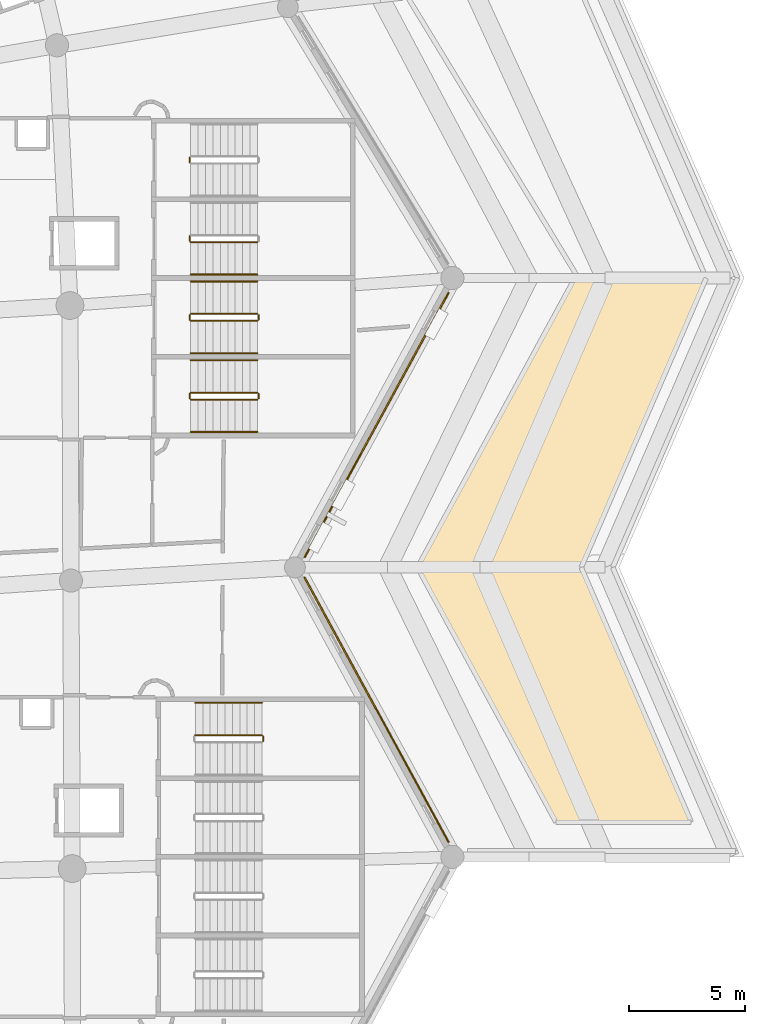
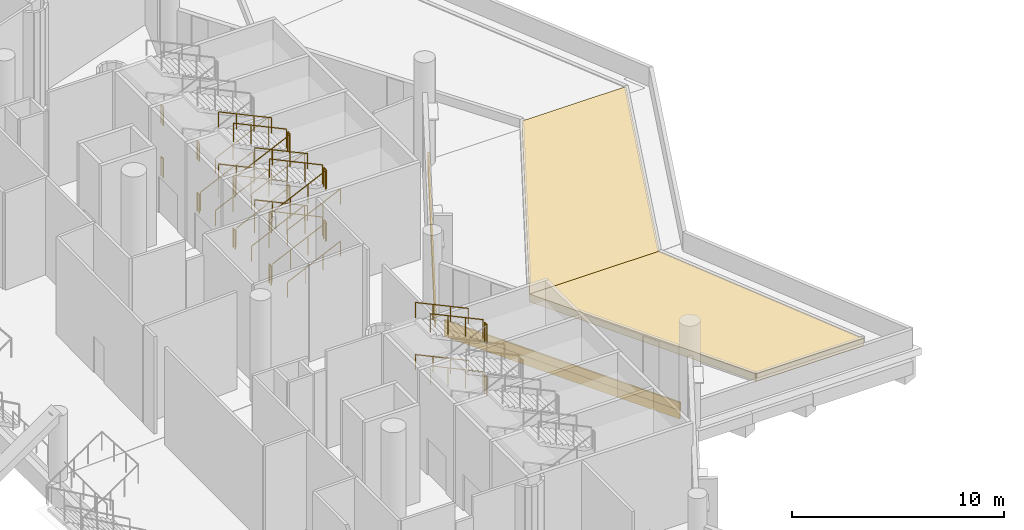
# One storey, part 163 of 173: 37 railings, 6 coverings.
"""IFC4 building model written with IfcOpenShell, lengths in metres."""

from ifc_helpers import new_model, si_unit, direction, frame, origin, origin_2d, place, context, subcontext, project, spatial, polyline, rectangle, circle, outline, extrude, material, layer, layer_set, type_object, element, save


model = new_model("IFC4")

# Units and contexts
model_context = context("Model", 3, precision=1e-05, world=origin(), true_north=direction((0.0, 1.0)))
body_context = subcontext(model_context, "Body", "Model", "MODEL_VIEW")
ifc_project = project(units=[si_unit("LENGTHUNIT", "METRE"), si_unit("AREAUNIT", "SQUARE_METRE"), si_unit("VOLUMEUNIT", "CUBIC_METRE"), si_unit("PLANEANGLEUNIT", "RADIAN"), si_unit("MASSUNIT", "GRAM", prefix="KILO")], contexts=[model_context])

# Site, building, storey
site_placement = place(None, origin())
site = spatial("IfcSite", under=ifc_project, at=site_placement, CompositionType="ELEMENT")
building_placement = place(site_placement, origin())
building = spatial("IfcBuilding", under=site, at=building_placement, Name="Meseta Stadium", CompositionType="ELEMENT")
storey_placement = place(building_placement, frame((0.0, 0.0, 18.0)))
storey = spatial("IfcBuildingStorey", under=building, at=storey_placement, Name="L03", CompositionType="ELEMENT", Elevation=18.0)

# Coverings
ifc_material_1 = material(Name="Guadarrama granite cladding", Category="masonry")
ifc_layer_1 = layer(ifc_material_1, 0.06005859375)
ifc_layer_set_1 = layer_set([ifc_layer_1], Name="Granite plinth cladding 60")
covering_type_1 = type_object("IfcCoveringType", Name="Granite plinth cladding 60", PredefinedType="CLADDING", material=ifc_layer_set_1)
for number, where, z_axis, x_axis, name in (
    (1, (98.124267578125, 25.095947265625, 0.0), (0.0, 0.0, 1.0), (0.47786723231, -0.878432073802, 0.0), "Granite plinth L03 F06"),
    (2, (98.124267578125, 37.404052734375, 0.0), (0.0, 0.0, 1.0), (-0.47786723231, -0.878432073802, 0.0), "Granite plinth L03 F07"),
):
    element("IfcCovering", number, at=place(storey_placement, frame(where, z_axis=z_axis, x_axis=x_axis)), inside=storey, type_object=covering_type_1, Name=name, PredefinedType="CLADDING", context=body_context, shape_type="SweptSolid", body=[
        extrude(rectangle(XDim=13.040283203125, YDim=0.06005859375, at=origin_2d()), origin(), (0.0, 0.0, 1.0), 0.5),
    ])
ifc_material_2 = material(Name="Planting soil")
ifc_layer_2 = layer(ifc_material_2, 0.449951171875)
ifc_layer_set_2 = layer_set([ifc_layer_2], Name="Planting soil 450")
covering_type_2 = type_object("IfcCoveringType", Name="Planting soil 450", PredefinedType="FLOORING", material=ifc_layer_set_2)
covering_1_placement = place(storey_placement, origin())
element("IfcCovering", 3, at=covering_1_placement, inside=storey, type_object=covering_type_2, Name="Roof garden planting bed 1.1 panel 04", PredefinedType="FLOORING", context=body_context, shape_type="SweptSolid", body=[
    extrude(outline(polyline([(106.966064453125, 31.25), (99.8935546875, 31.25), (105.87744140625, 20.25), (111.718017578125, 20.25), (106.966064453125, 31.25)])), origin(), (0.0, 0.0, 1.0), 0.449951171875),
])
covering_2_placement = place(storey_placement, origin())
element("IfcCovering", 4, at=covering_2_placement, inside=storey, type_object=covering_type_2, Name="Roof garden planting bed 1.1 panel 06", PredefinedType="FLOORING", context=body_context, shape_type="SweptSolid", body=[
    extrude(outline(polyline([(106.693603515625, 43.75), (99.8935546875, 31.25), (106.966064453125, 31.25), (112.364501953125, 43.74658203125), (112.363037109375, 43.75), (106.693603515625, 43.75)])), origin(), (0.0, 0.0, 1.0), 0.449951171875),
])

# Railings
ifc_material_3 = material(Name="Steel S355", Category="steel")
railing_type_1 = type_object("IfcRailingType", Name="Stair guard 1100", PredefinedType="GUARDRAIL", material=ifc_material_3)
railing_1_placement = place(storey_placement, frame((93.22998046875, 23.75, 1.5)))
element("IfcRailing", 5, at=railing_1_placement, inside=storey, type_object=railing_type_1, Name="ST16 L03 guard 2", PredefinedType="GUARDRAIL", context=body_context, shape_type="SweptSolid", body=[
    extrude(circle(Radius=0.02392578125, at=origin_2d()), frame((0.0, 0.0, 1.076171875), z_axis=(0.0, 1.0, 0.0), x_axis=(-1.0, 0.0, 0.0)), (0.0, 0.0, 1.0), 0.199951171875),
    extrude(circle(Radius=0.02099609375, at=origin_2d()), origin(), (0.0, 0.0, 1.0), 1.052001953125),
    extrude(circle(Radius=0.02099609375, at=origin_2d()), frame((0.0, 0.199951171875, 0.0)), (0.0, 0.0, 1.0), 1.052001953125),
])
railing_2_placement = place(storey_placement, frame((93.179931640625, 24.0, 1.64990234375)))
element("IfcRailing", 6, at=railing_2_placement, inside=storey, type_object=railing_type_1, Name="ST16 L03 guard 3", PredefinedType="GUARDRAIL", context=body_context, shape_type="SweptSolid", body=[
    extrude(circle(Radius=0.02392578125, at=origin_2d()), frame((0.0, 0.0, 1.076171875), z_axis=(-0.905440498372, 0.0, 0.424473207528), x_axis=(0.0, -1.0, 0.0)), (0.0, 0.0, 1.0), 3.1806640625),
    extrude(circle(Radius=0.02099609375, at=origin_2d()), origin(), (0.0, 0.0, 1.0), 1.052001953125),
    extrude(circle(Radius=0.02099609375, at=origin_2d()), frame((-0.9599609375, 0.0, 0.449951171875)), (0.0, 0.0, 1.0), 1.052001953125),
    extrude(circle(Radius=0.02099609375, at=origin_2d()), frame((-1.919921875, 0.0, 0.900146484375)), (0.0, 0.0, 1.0), 1.052001953125),
    extrude(circle(Radius=0.02099609375, at=origin_2d()), frame((-2.8798828125, 0.0, 1.35009765625)), (0.0, 0.0, 1.0), 1.052001953125),
])
railing_3_placement = place(storey_placement, frame((93.22998046875, 23.75, 4.5)))
element("IfcRailing", 7, at=railing_3_placement, inside=storey, type_object=railing_type_1, Name="ST16 L03 guard 6", PredefinedType="GUARDRAIL", context=body_context, shape_type="SweptSolid", body=[
    extrude(circle(Radius=0.02392578125, at=origin_2d()), frame((0.0, 0.0, 1.076171875), z_axis=(0.0, 1.0, 0.0), x_axis=(-1.0, 0.0, 0.0)), (0.0, 0.0, 1.0), 0.199951171875),
    extrude(circle(Radius=0.02099609375, at=origin_2d()), origin(), (0.0, 0.0, 1.0), 1.052001953125),
    extrude(circle(Radius=0.02099609375, at=origin_2d()), frame((0.0, 0.199951171875, 0.0)), (0.0, 0.0, 1.0), 1.052001953125),
])
railing_4_placement = place(storey_placement, frame((93.179931640625, 24.0, 4.64990234375)))
element("IfcRailing", 8, at=railing_4_placement, inside=storey, type_object=railing_type_1, Name="ST16 L03 guard 7", PredefinedType="GUARDRAIL", context=body_context, shape_type="SweptSolid", body=[
    extrude(circle(Radius=0.02392578125, at=origin_2d()), frame((0.0, 0.0, 1.076171875), z_axis=(-0.905440498372, 0.0, 0.424473207528), x_axis=(0.0, -1.0, 0.0)), (0.0, 0.0, 1.0), 3.1806640625),
    extrude(circle(Radius=0.02099609375, at=origin_2d()), origin(), (0.0, 0.0, 1.0), 1.052001953125),
    extrude(circle(Radius=0.02099609375, at=origin_2d()), frame((-0.9599609375, 0.0, 0.449951171875)), (0.0, 0.0, 1.0), 1.052001953125),
    extrude(circle(Radius=0.02099609375, at=origin_2d()), frame((-1.919921875, 0.0, 0.900146484375)), (0.0, 0.0, 1.0), 1.052001953125),
    extrude(circle(Radius=0.02099609375, at=origin_2d()), frame((-2.8798828125, 0.0, 1.35009765625)), (0.0, 0.0, 1.0), 1.052001953125),
])
railing_5_placement = place(storey_placement, frame((90.10009765625, 38.5, 0.14990234375)))
element("IfcRailing", 9, at=railing_5_placement, inside=storey, type_object=railing_type_1, Name="ST17 L03 guard 1", PredefinedType="GUARDRAIL", context=body_context, shape_type="SweptSolid", body=[
    extrude(circle(Radius=0.02392578125, at=origin_2d()), frame((0.0, 0.0, 1.076171875), z_axis=(0.905440498372, 0.0, 0.424473207528), x_axis=(0.0, 1.0, 0.0)), (0.0, 0.0, 1.0), 3.1806640625),
    extrude(circle(Radius=0.02099609375, at=origin_2d()), origin(), (0.0, 0.0, 1.0), 1.052001953125),
    extrude(circle(Radius=0.02099609375, at=origin_2d()), frame((0.9599609375, 0.0, 0.449951171875)), (0.0, 0.0, 1.0), 1.052001953125),
    extrude(circle(Radius=0.02099609375, at=origin_2d()), frame((1.919921875, 0.0, 0.900146484375)), (0.0, 0.0, 1.0), 1.052001953125),
    extrude(circle(Radius=0.02099609375, at=origin_2d()), frame((2.8798828125, 0.0, 1.35009765625)), (0.0, 0.0, 1.0), 1.052001953125),
])
railing_6_placement = place(storey_placement, frame((93.030029296875, 38.550048828125, 1.5)))
element("IfcRailing", 10, at=railing_6_placement, inside=storey, type_object=railing_type_1, Name="ST17 L03 guard 2", PredefinedType="GUARDRAIL", context=body_context, shape_type="SweptSolid", body=[
    extrude(circle(Radius=0.02392578125, at=origin_2d()), frame((0.0, 0.0, 1.076171875), z_axis=(0.0, 1.0, 0.0), x_axis=(-1.0, 0.0, 0.0)), (0.0, 0.0, 1.0), 0.199951171875),
    extrude(circle(Radius=0.02099609375, at=origin_2d()), origin(), (0.0, 0.0, 1.0), 1.052001953125),
    extrude(circle(Radius=0.02099609375, at=origin_2d()), frame((0.0, 0.199951171875, 0.0)), (0.0, 0.0, 1.0), 1.052001953125),
])
railing_7_placement = place(storey_placement, frame((92.97998046875, 38.800048828125, 1.64990234375)))
element("IfcRailing", 11, at=railing_7_placement, inside=storey, type_object=railing_type_1, Name="ST17 L03 guard 3", PredefinedType="GUARDRAIL", context=body_context, shape_type="SweptSolid", body=[
    extrude(circle(Radius=0.02392578125, at=origin_2d()), frame((0.0, 0.0, 1.076171875), z_axis=(-0.905440498372, 0.0, 0.424473207528), x_axis=(0.0, -1.0, 0.0)), (0.0, 0.0, 1.0), 3.1806640625),
    extrude(circle(Radius=0.02099609375, at=origin_2d()), origin(), (0.0, 0.0, 1.0), 1.052001953125),
    extrude(circle(Radius=0.02099609375, at=origin_2d()), frame((-0.9599609375, 0.0, 0.449951171875)), (0.0, 0.0, 1.0), 1.052001953125),
    extrude(circle(Radius=0.02099609375, at=origin_2d()), frame((-1.919921875, 0.0, 0.900146484375)), (0.0, 0.0, 1.0), 1.052001953125),
    extrude(circle(Radius=0.02099609375, at=origin_2d()), frame((-2.8798828125, 0.0, 1.35009765625)), (0.0, 0.0, 1.0), 1.052001953125),
])
railing_8_placement = place(storey_placement, frame((90.050048828125, 38.550048828125, 3.0)))
element("IfcRailing", 12, at=railing_8_placement, inside=storey, type_object=railing_type_1, Name="ST17 L03 guard 4", PredefinedType="GUARDRAIL", context=body_context, shape_type="SweptSolid", body=[
    extrude(circle(Radius=0.02392578125, at=origin_2d()), frame((0.0, 0.0, 1.076171875), z_axis=(0.0, 1.0, 0.0), x_axis=(-1.0, 0.0, 0.0)), (0.0, 0.0, 1.0), 0.199951171875),
    extrude(circle(Radius=0.02099609375, at=origin_2d()), origin(), (0.0, 0.0, 1.0), 1.052001953125),
    extrude(circle(Radius=0.02099609375, at=origin_2d()), frame((0.0, 0.199951171875, 0.0)), (0.0, 0.0, 1.0), 1.052001953125),
])
railing_9_placement = place(storey_placement, frame((90.10009765625, 38.5, 3.14990234375)))
element("IfcRailing", 13, at=railing_9_placement, inside=storey, type_object=railing_type_1, Name="ST17 L03 guard 5", PredefinedType="GUARDRAIL", context=body_context, shape_type="SweptSolid", body=[
    extrude(circle(Radius=0.02392578125, at=origin_2d()), frame((0.0, 0.0, 1.076171875), z_axis=(0.905440498372, 0.0, 0.424473207528), x_axis=(0.0, 1.0, 0.0)), (0.0, 0.0, 1.0), 3.1806640625),
    extrude(circle(Radius=0.02099609375, at=origin_2d()), origin(), (0.0, 0.0, 1.0), 1.052001953125),
    extrude(circle(Radius=0.02099609375, at=origin_2d()), frame((0.9599609375, 0.0, 0.449951171875)), (0.0, 0.0, 1.0), 1.052001953125),
    extrude(circle(Radius=0.02099609375, at=origin_2d()), frame((1.919921875, 0.0, 0.900146484375)), (0.0, 0.0, 1.0), 1.052001953125),
    extrude(circle(Radius=0.02099609375, at=origin_2d()), frame((2.8798828125, 0.0, 1.35009765625)), (0.0, 0.0, 1.0), 1.052001953125),
])
railing_10_placement = place(storey_placement, frame((93.030029296875, 38.550048828125, 4.5)))
element("IfcRailing", 14, at=railing_10_placement, inside=storey, type_object=railing_type_1, Name="ST17 L03 guard 6", PredefinedType="GUARDRAIL", context=body_context, shape_type="SweptSolid", body=[
    extrude(circle(Radius=0.02392578125, at=origin_2d()), frame((0.0, 0.0, 1.076171875), z_axis=(0.0, 1.0, 0.0), x_axis=(-1.0, 0.0, 0.0)), (0.0, 0.0, 1.0), 0.199951171875),
    extrude(circle(Radius=0.02099609375, at=origin_2d()), origin(), (0.0, 0.0, 1.0), 1.052001953125),
    extrude(circle(Radius=0.02099609375, at=origin_2d()), frame((0.0, 0.199951171875, 0.0)), (0.0, 0.0, 1.0), 1.052001953125),
])
railing_11_placement = place(storey_placement, frame((92.97998046875, 38.800048828125, 4.64990234375)))
element("IfcRailing", 15, at=railing_11_placement, inside=storey, type_object=railing_type_1, Name="ST17 L03 guard 7", PredefinedType="GUARDRAIL", context=body_context, shape_type="SweptSolid", body=[
    extrude(circle(Radius=0.02392578125, at=origin_2d()), frame((0.0, 0.0, 1.076171875), z_axis=(-0.905440498372, 0.0, 0.424473207528), x_axis=(0.0, -1.0, 0.0)), (0.0, 0.0, 1.0), 3.1806640625),
    extrude(circle(Radius=0.02099609375, at=origin_2d()), origin(), (0.0, 0.0, 1.0), 1.052001953125),
    extrude(circle(Radius=0.02099609375, at=origin_2d()), frame((-0.9599609375, 0.0, 0.449951171875)), (0.0, 0.0, 1.0), 1.052001953125),
    extrude(circle(Radius=0.02099609375, at=origin_2d()), frame((-1.919921875, 0.0, 0.900146484375)), (0.0, 0.0, 1.0), 1.052001953125),
    extrude(circle(Radius=0.02099609375, at=origin_2d()), frame((-2.8798828125, 0.0, 1.35009765625)), (0.0, 0.0, 1.0), 1.052001953125),
])
railing_12_placement = place(storey_placement, frame((90.050048828125, 38.550048828125, 0.0)))
element("IfcRailing", 16, at=railing_12_placement, inside=storey, type_object=railing_type_1, Name="ST17 L03 guard 8", PredefinedType="GUARDRAIL", context=body_context, shape_type="SweptSolid", body=[
    extrude(circle(Radius=0.02392578125, at=origin_2d()), frame((0.0, 0.0, 1.076171875), z_axis=(0.0, 1.0, 0.0), x_axis=(-1.0, 0.0, 0.0)), (0.0, 0.0, 1.0), 0.199951171875),
    extrude(circle(Radius=0.02099609375, at=origin_2d()), origin(), (0.0, 0.0, 1.0), 1.052001953125),
    extrude(circle(Radius=0.02099609375, at=origin_2d()), frame((0.0, 0.199951171875, 0.0)), (0.0, 0.0, 1.0), 1.052001953125),
])
railing_13_placement = place(storey_placement, frame((90.10009765625, 41.89990234375, 0.14990234375)))
element("IfcRailing", 17, at=railing_13_placement, inside=storey, type_object=railing_type_1, Name="ST18 L03 guard 1", PredefinedType="GUARDRAIL", context=body_context, shape_type="SweptSolid", body=[
    extrude(circle(Radius=0.02392578125, at=origin_2d()), frame((0.0, 0.0, 1.076171875), z_axis=(0.905440498372, 0.0, 0.424473207528), x_axis=(0.0, 1.0, 0.0)), (0.0, 0.0, 1.0), 3.1806640625),
    extrude(circle(Radius=0.02099609375, at=origin_2d()), origin(), (0.0, 0.0, 1.0), 1.052001953125),
    extrude(circle(Radius=0.02099609375, at=origin_2d()), frame((0.9599609375, 0.0, 0.449951171875)), (0.0, 0.0, 1.0), 1.052001953125),
    extrude(circle(Radius=0.02099609375, at=origin_2d()), frame((1.919921875, 0.0, 0.900146484375)), (0.0, 0.0, 1.0), 1.052001953125),
    extrude(circle(Radius=0.02099609375, at=origin_2d()), frame((2.8798828125, 0.0, 1.35009765625)), (0.0, 0.0, 1.0), 1.052001953125),
])
railing_14_placement = place(storey_placement, frame((93.030029296875, 41.949951171875, 1.5)))
element("IfcRailing", 18, at=railing_14_placement, inside=storey, type_object=railing_type_1, Name="ST18 L03 guard 2", PredefinedType="GUARDRAIL", context=body_context, shape_type="SweptSolid", body=[
    extrude(circle(Radius=0.02392578125, at=origin_2d()), frame((0.0, 0.0, 1.076171875), z_axis=(0.0, 1.0, 0.0), x_axis=(-1.0, 0.0, 0.0)), (0.0, 0.0, 1.0), 0.199951171875),
    extrude(circle(Radius=0.02099609375, at=origin_2d()), origin(), (0.0, 0.0, 1.0), 1.052001953125),
    extrude(circle(Radius=0.02099609375, at=origin_2d()), frame((0.0, 0.199951171875, 0.0)), (0.0, 0.0, 1.0), 1.052001953125),
])
railing_15_placement = place(storey_placement, frame((92.97998046875, 42.199951171875, 1.64990234375)))
element("IfcRailing", 19, at=railing_15_placement, inside=storey, type_object=railing_type_1, Name="ST18 L03 guard 3", PredefinedType="GUARDRAIL", context=body_context, shape_type="SweptSolid", body=[
    extrude(circle(Radius=0.02392578125, at=origin_2d()), frame((0.0, 0.0, 1.076171875), z_axis=(-0.905440498372, 0.0, 0.424473207528), x_axis=(0.0, -1.0, 0.0)), (0.0, 0.0, 1.0), 3.1806640625),
    extrude(circle(Radius=0.02099609375, at=origin_2d()), origin(), (0.0, 0.0, 1.0), 1.052001953125),
    extrude(circle(Radius=0.02099609375, at=origin_2d()), frame((-0.9599609375, 0.0, 0.449951171875)), (0.0, 0.0, 1.0), 1.052001953125),
    extrude(circle(Radius=0.02099609375, at=origin_2d()), frame((-1.919921875, 0.0, 0.900146484375)), (0.0, 0.0, 1.0), 1.052001953125),
    extrude(circle(Radius=0.02099609375, at=origin_2d()), frame((-2.8798828125, 0.0, 1.35009765625)), (0.0, 0.0, 1.0), 1.052001953125),
])
railing_16_placement = place(storey_placement, frame((90.050048828125, 41.949951171875, 3.0)))
element("IfcRailing", 20, at=railing_16_placement, inside=storey, type_object=railing_type_1, Name="ST18 L03 guard 4", PredefinedType="GUARDRAIL", context=body_context, shape_type="SweptSolid", body=[
    extrude(circle(Radius=0.02392578125, at=origin_2d()), frame((0.0, 0.0, 1.076171875), z_axis=(0.0, 1.0, 0.0), x_axis=(-1.0, 0.0, 0.0)), (0.0, 0.0, 1.0), 0.199951171875),
    extrude(circle(Radius=0.02099609375, at=origin_2d()), origin(), (0.0, 0.0, 1.0), 1.052001953125),
    extrude(circle(Radius=0.02099609375, at=origin_2d()), frame((0.0, 0.199951171875, 0.0)), (0.0, 0.0, 1.0), 1.052001953125),
])
railing_17_placement = place(storey_placement, frame((90.10009765625, 41.89990234375, 3.14990234375)))
element("IfcRailing", 21, at=railing_17_placement, inside=storey, type_object=railing_type_1, Name="ST18 L03 guard 5", PredefinedType="GUARDRAIL", context=body_context, shape_type="SweptSolid", body=[
    extrude(circle(Radius=0.02392578125, at=origin_2d()), frame((0.0, 0.0, 1.076171875), z_axis=(0.905440498372, 0.0, 0.424473207528), x_axis=(0.0, 1.0, 0.0)), (0.0, 0.0, 1.0), 3.1806640625),
    extrude(circle(Radius=0.02099609375, at=origin_2d()), origin(), (0.0, 0.0, 1.0), 1.052001953125),
    extrude(circle(Radius=0.02099609375, at=origin_2d()), frame((0.9599609375, 0.0, 0.449951171875)), (0.0, 0.0, 1.0), 1.052001953125),
    extrude(circle(Radius=0.02099609375, at=origin_2d()), frame((1.919921875, 0.0, 0.900146484375)), (0.0, 0.0, 1.0), 1.052001953125),
    extrude(circle(Radius=0.02099609375, at=origin_2d()), frame((2.8798828125, 0.0, 1.35009765625)), (0.0, 0.0, 1.0), 1.052001953125),
])
railing_18_placement = place(storey_placement, frame((93.030029296875, 41.949951171875, 4.5)))
element("IfcRailing", 22, at=railing_18_placement, inside=storey, type_object=railing_type_1, Name="ST18 L03 guard 6", PredefinedType="GUARDRAIL", context=body_context, shape_type="SweptSolid", body=[
    extrude(circle(Radius=0.02392578125, at=origin_2d()), frame((0.0, 0.0, 1.076171875), z_axis=(0.0, 1.0, 0.0), x_axis=(-1.0, 0.0, 0.0)), (0.0, 0.0, 1.0), 0.199951171875),
    extrude(circle(Radius=0.02099609375, at=origin_2d()), origin(), (0.0, 0.0, 1.0), 1.052001953125),
    extrude(circle(Radius=0.02099609375, at=origin_2d()), frame((0.0, 0.199951171875, 0.0)), (0.0, 0.0, 1.0), 1.052001953125),
])
railing_19_placement = place(storey_placement, frame((92.97998046875, 42.199951171875, 4.64990234375)))
element("IfcRailing", 23, at=railing_19_placement, inside=storey, type_object=railing_type_1, Name="ST18 L03 guard 7", PredefinedType="GUARDRAIL", context=body_context, shape_type="SweptSolid", body=[
    extrude(circle(Radius=0.02392578125, at=origin_2d()), frame((0.0, 0.0, 1.076171875), z_axis=(-0.905440498372, 0.0, 0.424473207528), x_axis=(0.0, -1.0, 0.0)), (0.0, 0.0, 1.0), 3.1806640625),
    extrude(circle(Radius=0.02099609375, at=origin_2d()), origin(), (0.0, 0.0, 1.0), 1.052001953125),
    extrude(circle(Radius=0.02099609375, at=origin_2d()), frame((-0.9599609375, 0.0, 0.449951171875)), (0.0, 0.0, 1.0), 1.052001953125),
    extrude(circle(Radius=0.02099609375, at=origin_2d()), frame((-1.919921875, 0.0, 0.900146484375)), (0.0, 0.0, 1.0), 1.052001953125),
    extrude(circle(Radius=0.02099609375, at=origin_2d()), frame((-2.8798828125, 0.0, 1.35009765625)), (0.0, 0.0, 1.0), 1.052001953125),
])
railing_20_placement = place(storey_placement, frame((90.050048828125, 41.949951171875, 0.0)))
element("IfcRailing", 24, at=railing_20_placement, inside=storey, type_object=railing_type_1, Name="ST18 L03 guard 8", PredefinedType="GUARDRAIL", context=body_context, shape_type="SweptSolid", body=[
    extrude(circle(Radius=0.02392578125, at=origin_2d()), frame((0.0, 0.0, 1.076171875), z_axis=(0.0, 1.0, 0.0), x_axis=(-1.0, 0.0, 0.0)), (0.0, 0.0, 1.0), 0.199951171875),
    extrude(circle(Radius=0.02099609375, at=origin_2d()), origin(), (0.0, 0.0, 1.0), 1.052001953125),
    extrude(circle(Radius=0.02099609375, at=origin_2d()), frame((0.0, 0.199951171875, 0.0)), (0.0, 0.0, 1.0), 1.052001953125),
])
railing_21_placement = place(storey_placement, frame((90.10009765625, 45.300048828125, 0.14990234375)))
element("IfcRailing", 25, at=railing_21_placement, inside=storey, type_object=railing_type_1, Name="ST19 L03 guard 1", PredefinedType="GUARDRAIL", context=body_context, shape_type="SweptSolid", body=[
    extrude(circle(Radius=0.02392578125, at=origin_2d()), frame((0.0, 0.0, 1.076171875), z_axis=(0.905440498372, 0.0, 0.424473207528), x_axis=(0.0, 1.0, 0.0)), (0.0, 0.0, 1.0), 3.1806640625),
    extrude(circle(Radius=0.02099609375, at=origin_2d()), origin(), (0.0, 0.0, 1.0), 1.052001953125),
    extrude(circle(Radius=0.02099609375, at=origin_2d()), frame((0.9599609375, 0.0, 0.449951171875)), (0.0, 0.0, 1.0), 1.052001953125),
    extrude(circle(Radius=0.02099609375, at=origin_2d()), frame((1.919921875, 0.0, 0.900146484375)), (0.0, 0.0, 1.0), 1.052001953125),
    extrude(circle(Radius=0.02099609375, at=origin_2d()), frame((2.8798828125, 0.0, 1.35009765625)), (0.0, 0.0, 1.0), 1.052001953125),
])
for number, where, name in (
    (26, (90.050048828125, 45.35009765625, 3.0), "ST19 L03 guard 4"),
    (27, (90.050048828125, 45.35009765625, 0.0), "ST19 L03 guard 8"),
    (28, (90.050048828125, 48.75, 3.0), "ST20 L03 guard 4"),
    (29, (90.050048828125, 48.75, 0.0), "ST20 L03 guard 8"),
):
    element("IfcRailing", number, at=place(storey_placement, frame(where)), inside=storey, type_object=railing_type_1, Name=name, PredefinedType="GUARDRAIL", context=body_context, shape_type="SweptSolid", body=[
        extrude(circle(Radius=0.02392578125, at=origin_2d()), frame((0.0, 0.0, 1.076171875), z_axis=(0.0, 1.0, 0.0), x_axis=(-1.0, 0.0, 0.0)), (0.0, 0.0, 1.0), 0.199951171875),
        extrude(circle(Radius=0.02099609375, at=origin_2d()), origin(), (0.0, 0.0, 1.0), 1.052001953125),
        extrude(circle(Radius=0.02099609375, at=origin_2d()), frame((0.0, 0.199951171875, 0.0)), (0.0, 0.0, 1.0), 1.052001953125),
    ])
ifc_material_4 = material(Name="Steel S355", Category="steel")
railing_type_2 = type_object("IfcRailingType", Name="Stair handrail 900", PredefinedType="HANDRAIL", material=ifc_material_4)
for number, where, name in (
    (30, (93.179931640625, 25.39990234375, 1.64990234375), "ST16 L03 handrail 2"),
    (31, (93.179931640625, 25.39990234375, 4.64990234375), "ST16 L03 handrail 4"),
):
    element("IfcRailing", number, at=place(storey_placement, frame(where)), inside=storey, type_object=railing_type_2, Name=name, PredefinedType="HANDRAIL", context=body_context, shape_type="SweptSolid", body=[
        extrude(circle(Radius=0.02392578125, at=origin_2d()), frame((0.0, 0.0, 0.8759765625), z_axis=(-0.905440498372, 0.0, 0.424473207528), x_axis=(0.0, -1.0, 0.0)), (0.0, 0.0, 1.0), 3.1806640625),
        extrude(circle(Radius=0.02099609375, at=origin_2d()), origin(), (0.0, 0.0, 1.0), 0.851806640625),
        extrude(circle(Radius=0.02099609375, at=origin_2d()), frame((-0.9599609375, 0.0, 0.449951171875)), (0.0, 0.0, 1.0), 0.851806640625),
        extrude(circle(Radius=0.02099609375, at=origin_2d()), frame((-1.919921875, 0.0, 0.900146484375)), (0.0, 0.0, 1.0), 0.851806640625),
        extrude(circle(Radius=0.02099609375, at=origin_2d()), frame((-2.8798828125, 0.0, 1.35009765625)), (0.0, 0.0, 1.0), 0.851806640625),
    ])
railing_22_placement = place(storey_placement, frame((90.10009765625, 37.10009765625, 0.14990234375)))
element("IfcRailing", 32, at=railing_22_placement, inside=storey, type_object=railing_type_2, Name="ST17 L03 handrail 1", PredefinedType="HANDRAIL", context=body_context, shape_type="SweptSolid", body=[
    extrude(circle(Radius=0.02392578125, at=origin_2d()), frame((0.0, 0.0, 0.8759765625), z_axis=(0.905440498372, 0.0, 0.424473207528), x_axis=(0.0, 1.0, 0.0)), (0.0, 0.0, 1.0), 3.1806640625),
    extrude(circle(Radius=0.02099609375, at=origin_2d()), origin(), (0.0, 0.0, 1.0), 0.851806640625),
    extrude(circle(Radius=0.02099609375, at=origin_2d()), frame((0.9599609375, 0.0, 0.449951171875)), (0.0, 0.0, 1.0), 0.851806640625),
    extrude(circle(Radius=0.02099609375, at=origin_2d()), frame((1.919921875, 0.0, 0.900146484375)), (0.0, 0.0, 1.0), 0.851806640625),
    extrude(circle(Radius=0.02099609375, at=origin_2d()), frame((2.8798828125, 0.0, 1.35009765625)), (0.0, 0.0, 1.0), 0.851806640625),
])
railing_23_placement = place(storey_placement, frame((92.97998046875, 40.199951171875, 1.64990234375)))
element("IfcRailing", 33, at=railing_23_placement, inside=storey, type_object=railing_type_2, Name="ST17 L03 handrail 2", PredefinedType="HANDRAIL", context=body_context, shape_type="SweptSolid", body=[
    extrude(circle(Radius=0.02392578125, at=origin_2d()), frame((0.0, 0.0, 0.8759765625), z_axis=(-0.905440498372, 0.0, 0.424473207528), x_axis=(0.0, -1.0, 0.0)), (0.0, 0.0, 1.0), 3.1806640625),
    extrude(circle(Radius=0.02099609375, at=origin_2d()), origin(), (0.0, 0.0, 1.0), 0.851806640625),
    extrude(circle(Radius=0.02099609375, at=origin_2d()), frame((-0.9599609375, 0.0, 0.449951171875)), (0.0, 0.0, 1.0), 0.851806640625),
    extrude(circle(Radius=0.02099609375, at=origin_2d()), frame((-1.919921875, 0.0, 0.900146484375)), (0.0, 0.0, 1.0), 0.851806640625),
    extrude(circle(Radius=0.02099609375, at=origin_2d()), frame((-2.8798828125, 0.0, 1.35009765625)), (0.0, 0.0, 1.0), 0.851806640625),
])
railing_24_placement = place(storey_placement, frame((90.10009765625, 37.10009765625, 3.14990234375)))
element("IfcRailing", 34, at=railing_24_placement, inside=storey, type_object=railing_type_2, Name="ST17 L03 handrail 3", PredefinedType="HANDRAIL", context=body_context, shape_type="SweptSolid", body=[
    extrude(circle(Radius=0.02392578125, at=origin_2d()), frame((0.0, 0.0, 0.8759765625), z_axis=(0.905440498372, 0.0, 0.424473207528), x_axis=(0.0, 1.0, 0.0)), (0.0, 0.0, 1.0), 3.1806640625),
    extrude(circle(Radius=0.02099609375, at=origin_2d()), origin(), (0.0, 0.0, 1.0), 0.851806640625),
    extrude(circle(Radius=0.02099609375, at=origin_2d()), frame((0.9599609375, 0.0, 0.449951171875)), (0.0, 0.0, 1.0), 0.851806640625),
    extrude(circle(Radius=0.02099609375, at=origin_2d()), frame((1.919921875, 0.0, 0.900146484375)), (0.0, 0.0, 1.0), 0.851806640625),
    extrude(circle(Radius=0.02099609375, at=origin_2d()), frame((2.8798828125, 0.0, 1.35009765625)), (0.0, 0.0, 1.0), 0.851806640625),
])
railing_25_placement = place(storey_placement, frame((92.97998046875, 40.199951171875, 4.64990234375)))
element("IfcRailing", 35, at=railing_25_placement, inside=storey, type_object=railing_type_2, Name="ST17 L03 handrail 4", PredefinedType="HANDRAIL", context=body_context, shape_type="SweptSolid", body=[
    extrude(circle(Radius=0.02392578125, at=origin_2d()), frame((0.0, 0.0, 0.8759765625), z_axis=(-0.905440498372, 0.0, 0.424473207528), x_axis=(0.0, -1.0, 0.0)), (0.0, 0.0, 1.0), 3.1806640625),
    extrude(circle(Radius=0.02099609375, at=origin_2d()), origin(), (0.0, 0.0, 1.0), 0.851806640625),
    extrude(circle(Radius=0.02099609375, at=origin_2d()), frame((-0.9599609375, 0.0, 0.449951171875)), (0.0, 0.0, 1.0), 0.851806640625),
    extrude(circle(Radius=0.02099609375, at=origin_2d()), frame((-1.919921875, 0.0, 0.900146484375)), (0.0, 0.0, 1.0), 0.851806640625),
    extrude(circle(Radius=0.02099609375, at=origin_2d()), frame((-2.8798828125, 0.0, 1.35009765625)), (0.0, 0.0, 1.0), 0.851806640625),
])
railing_26_placement = place(storey_placement, frame((90.10009765625, 40.5, 0.14990234375)))
element("IfcRailing", 36, at=railing_26_placement, inside=storey, type_object=railing_type_2, Name="ST18 L03 handrail 1", PredefinedType="HANDRAIL", context=body_context, shape_type="SweptSolid", body=[
    extrude(circle(Radius=0.02392578125, at=origin_2d()), frame((0.0, 0.0, 0.8759765625), z_axis=(0.905440498372, 0.0, 0.424473207528), x_axis=(0.0, 1.0, 0.0)), (0.0, 0.0, 1.0), 3.1806640625),
    extrude(circle(Radius=0.02099609375, at=origin_2d()), origin(), (0.0, 0.0, 1.0), 0.851806640625),
    extrude(circle(Radius=0.02099609375, at=origin_2d()), frame((0.9599609375, 0.0, 0.449951171875)), (0.0, 0.0, 1.0), 0.851806640625),
    extrude(circle(Radius=0.02099609375, at=origin_2d()), frame((1.919921875, 0.0, 0.900146484375)), (0.0, 0.0, 1.0), 0.851806640625),
    extrude(circle(Radius=0.02099609375, at=origin_2d()), frame((2.8798828125, 0.0, 1.35009765625)), (0.0, 0.0, 1.0), 0.851806640625),
])
railing_27_placement = place(storey_placement, frame((92.97998046875, 43.60009765625, 1.64990234375)))
element("IfcRailing", 37, at=railing_27_placement, inside=storey, type_object=railing_type_2, Name="ST18 L03 handrail 2", PredefinedType="HANDRAIL", context=body_context, shape_type="SweptSolid", body=[
    extrude(circle(Radius=0.02392578125, at=origin_2d()), frame((0.0, 0.0, 0.8759765625), z_axis=(-0.905440498372, 0.0, 0.424473207528), x_axis=(0.0, -1.0, 0.0)), (0.0, 0.0, 1.0), 3.1806640625),
    extrude(circle(Radius=0.02099609375, at=origin_2d()), origin(), (0.0, 0.0, 1.0), 0.851806640625),
    extrude(circle(Radius=0.02099609375, at=origin_2d()), frame((-0.9599609375, 0.0, 0.449951171875)), (0.0, 0.0, 1.0), 0.851806640625),
    extrude(circle(Radius=0.02099609375, at=origin_2d()), frame((-1.919921875, 0.0, 0.900146484375)), (0.0, 0.0, 1.0), 0.851806640625),
    extrude(circle(Radius=0.02099609375, at=origin_2d()), frame((-2.8798828125, 0.0, 1.35009765625)), (0.0, 0.0, 1.0), 0.851806640625),
])
railing_28_placement = place(storey_placement, frame((90.10009765625, 40.5, 3.14990234375)))
element("IfcRailing", 38, at=railing_28_placement, inside=storey, type_object=railing_type_2, Name="ST18 L03 handrail 3", PredefinedType="HANDRAIL", context=body_context, shape_type="SweptSolid", body=[
    extrude(circle(Radius=0.02392578125, at=origin_2d()), frame((0.0, 0.0, 0.8759765625), z_axis=(0.905440498372, 0.0, 0.424473207528), x_axis=(0.0, 1.0, 0.0)), (0.0, 0.0, 1.0), 3.1806640625),
    extrude(circle(Radius=0.02099609375, at=origin_2d()), origin(), (0.0, 0.0, 1.0), 0.851806640625),
    extrude(circle(Radius=0.02099609375, at=origin_2d()), frame((0.9599609375, 0.0, 0.449951171875)), (0.0, 0.0, 1.0), 0.851806640625),
    extrude(circle(Radius=0.02099609375, at=origin_2d()), frame((1.919921875, 0.0, 0.900146484375)), (0.0, 0.0, 1.0), 0.851806640625),
    extrude(circle(Radius=0.02099609375, at=origin_2d()), frame((2.8798828125, 0.0, 1.35009765625)), (0.0, 0.0, 1.0), 0.851806640625),
])
railing_29_placement = place(storey_placement, frame((92.97998046875, 43.60009765625, 4.64990234375)))
element("IfcRailing", 39, at=railing_29_placement, inside=storey, type_object=railing_type_2, Name="ST18 L03 handrail 4", PredefinedType="HANDRAIL", context=body_context, shape_type="SweptSolid", body=[
    extrude(circle(Radius=0.02392578125, at=origin_2d()), frame((0.0, 0.0, 0.8759765625), z_axis=(-0.905440498372, 0.0, 0.424473207528), x_axis=(0.0, -1.0, 0.0)), (0.0, 0.0, 1.0), 3.1806640625),
    extrude(circle(Radius=0.02099609375, at=origin_2d()), origin(), (0.0, 0.0, 1.0), 0.851806640625),
    extrude(circle(Radius=0.02099609375, at=origin_2d()), frame((-0.9599609375, 0.0, 0.449951171875)), (0.0, 0.0, 1.0), 0.851806640625),
    extrude(circle(Radius=0.02099609375, at=origin_2d()), frame((-1.919921875, 0.0, 0.900146484375)), (0.0, 0.0, 1.0), 0.851806640625),
    extrude(circle(Radius=0.02099609375, at=origin_2d()), frame((-2.8798828125, 0.0, 1.35009765625)), (0.0, 0.0, 1.0), 0.851806640625),
])
for number, where, name in (
    (40, (90.10009765625, 43.89990234375, 0.14990234375), "ST19 L03 handrail 1"),
    (41, (90.10009765625, 43.89990234375, 3.14990234375), "ST19 L03 handrail 3"),
):
    element("IfcRailing", number, at=place(storey_placement, frame(where)), inside=storey, type_object=railing_type_2, Name=name, PredefinedType="HANDRAIL", context=body_context, shape_type="SweptSolid", body=[
        extrude(circle(Radius=0.02392578125, at=origin_2d()), frame((0.0, 0.0, 0.8759765625), z_axis=(0.905440498372, 0.0, 0.424473207528), x_axis=(0.0, 1.0, 0.0)), (0.0, 0.0, 1.0), 3.1806640625),
        extrude(circle(Radius=0.02099609375, at=origin_2d()), origin(), (0.0, 0.0, 1.0), 0.851806640625),
        extrude(circle(Radius=0.02099609375, at=origin_2d()), frame((0.9599609375, 0.0, 0.449951171875)), (0.0, 0.0, 1.0), 0.851806640625),
        extrude(circle(Radius=0.02099609375, at=origin_2d()), frame((1.919921875, 0.0, 0.900146484375)), (0.0, 0.0, 1.0), 0.851806640625),
        extrude(circle(Radius=0.02099609375, at=origin_2d()), frame((2.8798828125, 0.0, 1.35009765625)), (0.0, 0.0, 1.0), 0.851806640625),
    ])

# Coverings
ifc_material_5 = material(Name="Precast concrete C40/50, terracotta pigment", Category="masonry")
ifc_layer_3 = layer(ifc_material_5, 0.080078125)
ifc_layer_set_3 = layer_set([ifc_layer_3], Name="Precast concrete C40/50, terracotta pigment")
covering_type_3 = type_object("IfcCoveringType", Name="Terracotta precast band 80", PredefinedType="CLADDING", material=ifc_layer_set_3)
for number, where, z_axis, x_axis, name in (
    (42, (98.133056640625, 25.100830078125, 0.5), (0.0, 0.0, 1.0), (0.47786723231, -0.878432073802, 0.0), "Terracotta band L03 F06"),
    (43, (98.133056640625, 37.399169921875, 0.5), (0.0, 0.0, 1.0), (-0.47786723231, -0.878432073802, 0.0), "Terracotta band L03 F07"),
):
    element("IfcCovering", number, at=place(storey_placement, frame(where, z_axis=z_axis, x_axis=x_axis)), inside=storey, type_object=covering_type_3, Name=name, PredefinedType="CLADDING", context=body_context, shape_type="SweptSolid", body=[
        extrude(rectangle(XDim=13.040283203125, YDim=0.080078125, at=origin_2d()), origin(), (0.0, 0.0, 1.0), 0.449951171875),
    ])

save(model, "model.ifc")
